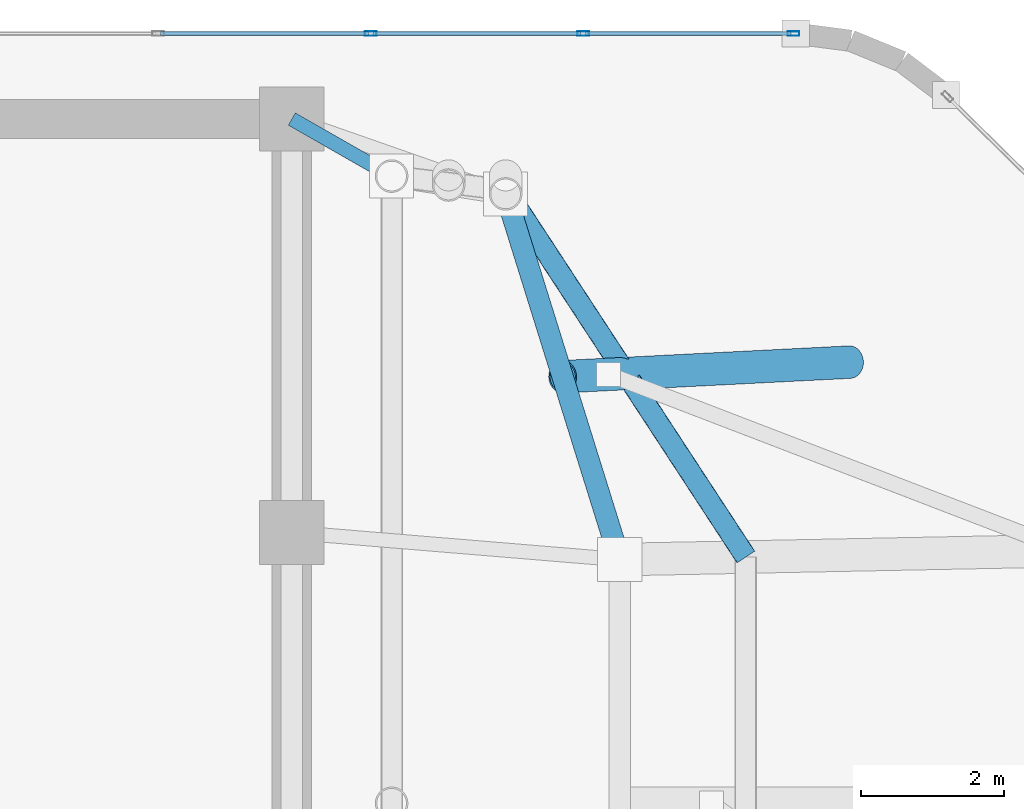
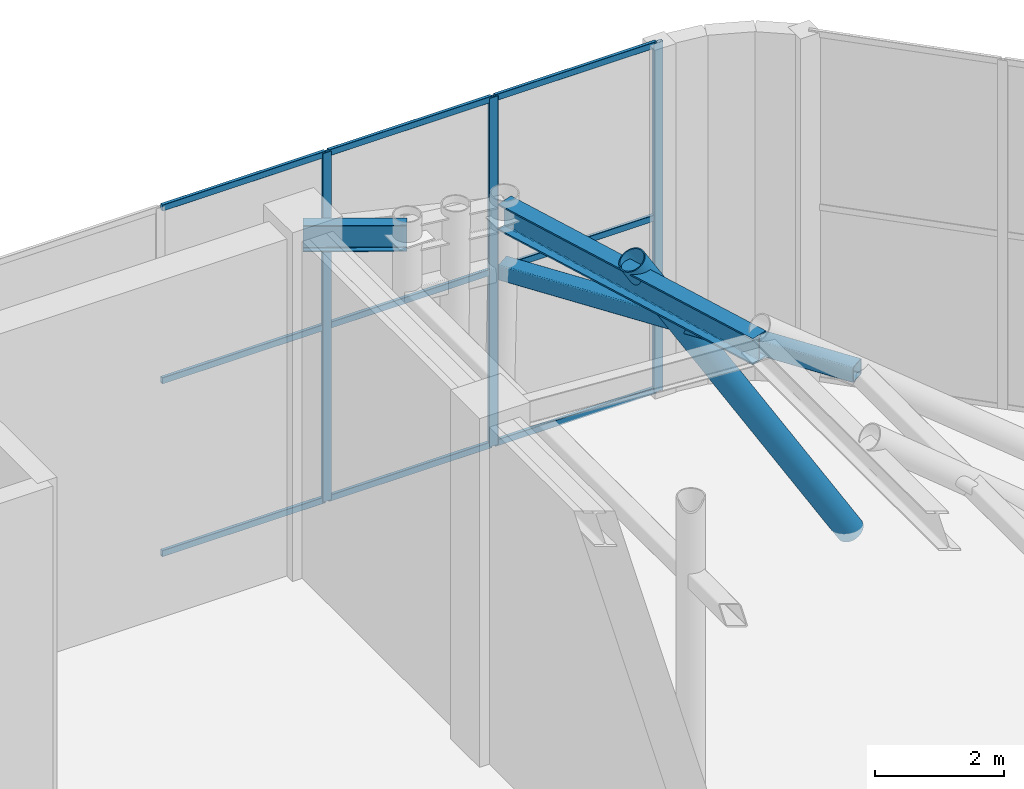
# One storey, part 15 of 19: 14 members, 2 beams, 1 element without a shape of its own.
"""IFC4 building model written with IfcOpenShell, lengths in metres."""

from ifc_helpers import new_model, si_unit, direction, frame, origin, origin_2d, place, context, subcontext, project, spatial, hollow_rectangle, hollow_circle, i_section, extrude, material, layer, layer_set, material_profile, profile_set, type_object, element, aggregate, save


model = new_model("IFC4")

# Units and contexts
model_context = context("Model", 3, precision=1e-05, world=origin(), true_north=direction((0.0, 1.0)))
body_context = subcontext(model_context, "Body", "Model", "MODEL_VIEW")
ifc_project = project(units=[si_unit("LENGTHUNIT", "METRE"), si_unit("AREAUNIT", "SQUARE_METRE"), si_unit("VOLUMEUNIT", "CUBIC_METRE"), si_unit("PLANEANGLEUNIT", "RADIAN"), si_unit("MASSUNIT", "GRAM", prefix="KILO")], contexts=[model_context])

# Site, building, storey
site_placement = place(None, origin())
site = spatial("IfcSite", under=ifc_project, at=site_placement, CompositionType="ELEMENT")
building_placement = place(site_placement, origin())
building = spatial("IfcBuilding", under=site, at=building_placement, Name="An Khanh Terracotta Commons", CompositionType="ELEMENT")
storey_placement = place(building_placement, frame((0.0, 0.0, 328.800048828125)))
storey = spatial("IfcBuildingStorey", under=building, at=storey_placement, Name="L82 Crown Faceted Taper", CompositionType="ELEMENT", Elevation=328.800048828125)

# Beams
ifc_material_1 = material(Name="Steel S355J2", Category="steel")
ifc_material_profile_1 = material_profile(ifc_material_1, i_section(OverallWidth=0.300048828125, OverallDepth=0.5, WebThickness=0.014404296875, FlangeThickness=0.028076171875, FilletRadius=0.027099609375, at=origin_2d()), Name="HEB500")
ifc_profile_set_1 = profile_set([ifc_material_profile_1], Name="Steel S355J2")
beam_type_1 = type_object("IfcBeamType", Name="BM-HEB500", PredefinedType="BEAM", material=ifc_profile_set_1)
beam_1_placement = place(storey_placement, frame((41.800048828125, 27.419921875, 6.1298828125), z_axis=(-0.297754997969, 0.954642321074, 0.0), x_axis=(-0.954642321074, -0.297754997969, 0.0)))
element("IfcBeam", 1, at=beam_1_placement, inside=storey, type_object=beam_type_1, Name="L82 Crown Faceted Taper CROWN FRAME Ring Beam 4", PredefinedType="BEAM", context=body_context, shape_type="SweptSolid", body=[
    extrude(i_section(OverallWidth=0.300048828125, OverallDepth=0.5, WebThickness=0.014404296875, FlangeThickness=0.028076171875, FilletRadius=0.027099609375, at=origin_2d()), origin(), (0.0, 0.0, 1.0), 5.373779296875),
])
ifc_material_profile_2 = material_profile(ifc_material_1, i_section(OverallWidth=0.199951171875, OverallDepth=0.5, WebThickness=0.01025390625, FlangeThickness=0.01611328125, FilletRadius=0.02099609375, at=origin_2d()), Name="IPE500")
ifc_profile_set_2 = profile_set([ifc_material_profile_2], Name="Steel S355J2")
beam_type_2 = type_object("IfcBeamType", Name="BM-IPE500", PredefinedType="BEAM", material=ifc_profile_set_2)
beam_2_placement = place(storey_placement, frame((37.199951171875, 33.60009765625, 6.1298828125), z_axis=(0.86825245861, -0.496122634152, 0.0), x_axis=(0.496122634152, 0.86825245861, 0.0)))
element("IfcBeam", 2, at=beam_2_placement, inside=storey, type_object=beam_type_2, Name="L82 Crown Faceted Taper Crown Radial Tie Beam 6", PredefinedType="BEAM", context=body_context, shape_type="SweptSolid", body=[
    extrude(i_section(OverallWidth=0.199951171875, OverallDepth=0.5, WebThickness=0.01025390625, FlangeThickness=0.01611328125, FilletRadius=0.02099609375, at=origin_2d()), origin(), (0.0, 0.0, 1.0), 1.612548828125),
])

# Members
ifc_material_2 = material(Name="Steel S460ML", Category="steel")
ifc_material_profile_3 = material_profile(ifc_material_2, hollow_circle(Radius=0.228515625, WallThickness=0.02001953125, at=origin_2d()), Name="CHS457x20")
ifc_profile_set_3 = profile_set([ifc_material_profile_3], Name="Steel S460ML")
member_type_1 = type_object("IfcMemberType", Name="CROWN FRAME RIB CHS457", PredefinedType="STRUT", material=ifc_profile_set_3)
member_1_placement = place(storey_placement, frame((45.02490234375, 30.18994140625, -0.1201171875), z_axis=(-0.518175799346, -0.026370829531, 0.854867486996), x_axis=(0.050825889665, -0.99870752923, 0.0)))
element("IfcMember", 3, at=member_1_placement, inside=storey, type_object=member_type_1, Name="L82 Crown Faceted Taper CROWN FRAME Facet Strut 4", PredefinedType="STRUT", context=body_context, shape_type="SweptSolid", body=[
    extrude(hollow_circle(Radius=0.228515625, WallThickness=0.02001953125, at=origin_2d()), origin(), (0.0, 0.0, 1.0), 7.767333984375),
])
ifc_material_profile_4 = material_profile(ifc_material_2, hollow_rectangle(XDim=0.300048828125, YDim=0.300048828125, WallThickness=0.01611328125, InnerFilletRadius=0.01611328125, OuterFilletRadius=0.031982421875, at=origin_2d()), Name="SHS300x300x16")
ifc_profile_set_4 = profile_set([ifc_material_profile_4], Name="Steel S460ML")
member_type_2 = type_object("IfcMemberType", Name="CROWN FRAME RING SHS300", PredefinedType="CHORD", material=ifc_profile_set_4)
member_2_placement = place(storey_placement, frame((43.571044921875, 27.455078125, 5.058837890625), z_axis=(-0.547687447158, 0.836683010599, 0.0), x_axis=(-0.836683010599, -0.547687447158, 0.0)))
element("IfcMember", 4, at=member_2_placement, inside=storey, type_object=member_type_2, Name="L82 Crown Faceted Taper CROWN FRAME Sill Ring Chord 4", PredefinedType="CHORD", context=body_context, shape_type="SweptSolid", body=[
    extrude(hollow_rectangle(XDim=0.300048828125, YDim=0.300048828125, WallThickness=0.01611328125, InnerFilletRadius=0.01611328125, OuterFilletRadius=0.031982421875, at=origin_2d()), origin(), (0.0, 0.0, 1.0), 6.155029296875),
])

# Curtain wall, members
ifc_material_3 = material(Name="Anodised Aluminium 6063-T6", Category="aluminium")
ifc_layer = layer(ifc_material_3, 0.18994140625, Name="Anodised Aluminium 6063-T6")
ifc_layer_set = layer_set([ifc_layer], Name="Anodised Aluminium 6063-T6")
curtain_wall_type = type_object("IfcCurtainWallType", Name="CW-SYS-06", PredefinedType="USERDEFINED", material=ifc_layer_set)
curtain_wall_placement = place(storey_placement, origin())
curtain_wall = element("IfcCurtainWall", 5, at=curtain_wall_placement, inside=storey, type_object=curtain_wall_type, Name="L82 Crown Faceted Taper CW-06 Unitised Curtain Wall CW-L82-20", ObjectType="UNITISED CURTAIN WALL", PredefinedType="USERDEFINED")
ifc_material_profile_5 = material_profile(ifc_material_3, hollow_rectangle(XDim=0.06494140625, YDim=0.1650390625, WallThickness=0.00390625, InnerFilletRadius=0.00390625, OuterFilletRadius=0.008056640625, at=origin_2d()), Name="RHS165x65x4")
ifc_profile_set_5 = profile_set([ifc_material_profile_5], Name="Anodised Aluminium 6063-T6")
member_type_3 = type_object("IfcMemberType", Name="CWM-RHS165x65x4", PredefinedType="MULLION", material=ifc_profile_set_5)
member_3_placement = place(storey_placement, frame((44.238525390625, 34.800048828125, 0.0), z_axis=(0.0, 0.0, 1.0), x_axis=(0.0, -1.0, 0.0)))
member_3 = element("IfcMember", 6, at=member_3_placement, type_object=member_type_3, Name="CW-06 mullion 1", PredefinedType="MULLION", context=body_context, shape_type="SweptSolid", body=[
    extrude(hollow_rectangle(XDim=0.06494140625, YDim=0.1650390625, WallThickness=0.00390625, InnerFilletRadius=0.00390625, OuterFilletRadius=0.008056640625, at=origin_2d()), origin(), (0.0, 0.0, 1.0), 6.599853515625),
])
member_4_placement = place(storey_placement, frame((41.289306640625, 34.800048828125, 0.0), z_axis=(0.0, 0.0, 1.0), x_axis=(0.0, -1.0, 0.0)))
member_4 = element("IfcMember", 7, at=member_4_placement, type_object=member_type_3, Name="CW-06 mullion 2", PredefinedType="MULLION", context=body_context, shape_type="SweptSolid", body=[
    extrude(hollow_rectangle(XDim=0.06494140625, YDim=0.1650390625, WallThickness=0.00390625, InnerFilletRadius=0.00390625, OuterFilletRadius=0.008056640625, at=origin_2d()), origin(), (0.0, 0.0, 1.0), 6.599853515625),
])
member_5_placement = place(storey_placement, frame((38.307861328125, 34.800048828125, 0.0), z_axis=(0.0, 0.0, 1.0), x_axis=(0.0, -1.0, 0.0)))
member_5 = element("IfcMember", 8, at=member_5_placement, type_object=member_type_3, Name="CW-06 mullion 3", PredefinedType="MULLION", context=body_context, shape_type="SweptSolid", body=[
    extrude(hollow_rectangle(XDim=0.06494140625, YDim=0.1650390625, WallThickness=0.00390625, InnerFilletRadius=0.00390625, OuterFilletRadius=0.008056640625, at=origin_2d()), origin(), (0.0, 0.0, 1.0), 6.599853515625),
])
ifc_material_profile_6 = material_profile(ifc_material_3, hollow_rectangle(XDim=0.06005859375, YDim=0.1201171875, WallThickness=0.003662109375, InnerFilletRadius=0.003662109375, OuterFilletRadius=0.007080078125, at=origin_2d()), Name="RHS120x60x3.6")
ifc_profile_set_6 = profile_set([ifc_material_profile_6], Name="Anodised Aluminium 6063-T6")
member_type_4 = type_object("IfcMemberType", Name="CWT-RHS120x60x3.6", PredefinedType="USERDEFINED", material=ifc_profile_set_6)
member_6_placement = place(storey_placement, frame((44.2060546875, 34.800048828125, 0.030029296875), z_axis=(-1.0, 0.0, 0.0), x_axis=(0.0, -1.0, 0.0)))
member_6 = element("IfcMember", 9, at=member_6_placement, type_object=member_type_4, Name="CW-06 transom 1.1", ObjectType="TRANSOM", PredefinedType="USERDEFINED", context=body_context, shape_type="SweptSolid", body=[
    extrude(hollow_rectangle(XDim=0.06005859375, YDim=0.1201171875, WallThickness=0.003662109375, InnerFilletRadius=0.003662109375, OuterFilletRadius=0.007080078125, at=origin_2d()), origin(), (0.0, 0.0, 1.0), 2.884033203125),
])
member_7_placement = place(storey_placement, frame((44.2060546875, 34.800048828125, 3.300048828125), z_axis=(-1.0, 0.0, 0.0), x_axis=(0.0, -1.0, 0.0)))
member_7 = element("IfcMember", 10, at=member_7_placement, type_object=member_type_4, Name="CW-06 transom 1.2", ObjectType="TRANSOM", PredefinedType="USERDEFINED", context=body_context, shape_type="SweptSolid", body=[
    extrude(hollow_rectangle(XDim=0.06005859375, YDim=0.1201171875, WallThickness=0.003662109375, InnerFilletRadius=0.003662109375, OuterFilletRadius=0.007080078125, at=origin_2d()), origin(), (0.0, 0.0, 1.0), 2.884033203125),
])
member_8_placement = place(storey_placement, frame((44.2060546875, 34.800048828125, 6.570068359375), z_axis=(-1.0, 0.0, 0.0), x_axis=(0.0, -1.0, 0.0)))
member_8 = element("IfcMember", 11, at=member_8_placement, type_object=member_type_4, Name="CW-06 transom 1.3", ObjectType="TRANSOM", PredefinedType="USERDEFINED", context=body_context, shape_type="SweptSolid", body=[
    extrude(hollow_rectangle(XDim=0.06005859375, YDim=0.1201171875, WallThickness=0.003662109375, InnerFilletRadius=0.003662109375, OuterFilletRadius=0.007080078125, at=origin_2d()), origin(), (0.0, 0.0, 1.0), 2.884033203125),
])
member_9_placement = place(storey_placement, frame((41.2568359375, 34.800048828125, 0.030029296875), z_axis=(-1.0, 0.0, 0.0), x_axis=(0.0, -1.0, 0.0)))
member_9 = element("IfcMember", 12, at=member_9_placement, type_object=member_type_4, Name="CW-06 transom 2.1", ObjectType="TRANSOM", PredefinedType="USERDEFINED", context=body_context, shape_type="SweptSolid", body=[
    extrude(hollow_rectangle(XDim=0.06005859375, YDim=0.1201171875, WallThickness=0.003662109375, InnerFilletRadius=0.003662109375, OuterFilletRadius=0.007080078125, at=origin_2d()), origin(), (0.0, 0.0, 1.0), 2.91650390625),
])
member_10_placement = place(storey_placement, frame((41.2568359375, 34.800048828125, 3.300048828125), z_axis=(-1.0, 0.0, 0.0), x_axis=(0.0, -1.0, 0.0)))
member_10 = element("IfcMember", 13, at=member_10_placement, type_object=member_type_4, Name="CW-06 transom 2.2", ObjectType="TRANSOM", PredefinedType="USERDEFINED", context=body_context, shape_type="SweptSolid", body=[
    extrude(hollow_rectangle(XDim=0.06005859375, YDim=0.1201171875, WallThickness=0.003662109375, InnerFilletRadius=0.003662109375, OuterFilletRadius=0.007080078125, at=origin_2d()), origin(), (0.0, 0.0, 1.0), 2.91650390625),
])
member_11_placement = place(storey_placement, frame((41.2568359375, 34.800048828125, 6.570068359375), z_axis=(-1.0, 0.0, 0.0), x_axis=(0.0, -1.0, 0.0)))
member_11 = element("IfcMember", 14, at=member_11_placement, type_object=member_type_4, Name="CW-06 transom 2.3", ObjectType="TRANSOM", PredefinedType="USERDEFINED", context=body_context, shape_type="SweptSolid", body=[
    extrude(hollow_rectangle(XDim=0.06005859375, YDim=0.1201171875, WallThickness=0.003662109375, InnerFilletRadius=0.003662109375, OuterFilletRadius=0.007080078125, at=origin_2d()), origin(), (0.0, 0.0, 1.0), 2.91650390625),
])
member_12_placement = place(storey_placement, frame((38.275390625, 34.800048828125, 0.030029296875), z_axis=(-1.0, 0.0, 0.0), x_axis=(0.0, -1.0, 0.0)))
member_12 = element("IfcMember", 15, at=member_12_placement, type_object=member_type_4, Name="CW-06 transom 3.1", ObjectType="TRANSOM", PredefinedType="USERDEFINED", context=body_context, shape_type="SweptSolid", body=[
    extrude(hollow_rectangle(XDim=0.06005859375, YDim=0.1201171875, WallThickness=0.003662109375, InnerFilletRadius=0.003662109375, OuterFilletRadius=0.007080078125, at=origin_2d()), origin(), (0.0, 0.0, 1.0), 2.91650390625),
])
member_13_placement = place(storey_placement, frame((38.275390625, 34.800048828125, 3.300048828125), z_axis=(-1.0, 0.0, 0.0), x_axis=(0.0, -1.0, 0.0)))
member_13 = element("IfcMember", 16, at=member_13_placement, type_object=member_type_4, Name="CW-06 transom 3.2", ObjectType="TRANSOM", PredefinedType="USERDEFINED", context=body_context, shape_type="SweptSolid", body=[
    extrude(hollow_rectangle(XDim=0.06005859375, YDim=0.1201171875, WallThickness=0.003662109375, InnerFilletRadius=0.003662109375, OuterFilletRadius=0.007080078125, at=origin_2d()), origin(), (0.0, 0.0, 1.0), 2.91650390625),
])
member_14_placement = place(storey_placement, frame((38.275390625, 34.800048828125, 6.570068359375), z_axis=(-1.0, 0.0, 0.0), x_axis=(0.0, -1.0, 0.0)))
member_14 = element("IfcMember", 17, at=member_14_placement, type_object=member_type_4, Name="CW-06 transom 3.3", ObjectType="TRANSOM", PredefinedType="USERDEFINED", context=body_context, shape_type="SweptSolid", body=[
    extrude(hollow_rectangle(XDim=0.06005859375, YDim=0.1201171875, WallThickness=0.003662109375, InnerFilletRadius=0.003662109375, OuterFilletRadius=0.007080078125, at=origin_2d()), origin(), (0.0, 0.0, 1.0), 2.91650390625),
])
aggregate(curtain_wall, [member_3, member_4, member_5, member_6, member_7, member_8, member_9, member_10, member_11, member_12, member_13, member_14])

save(model, "model.ifc")
